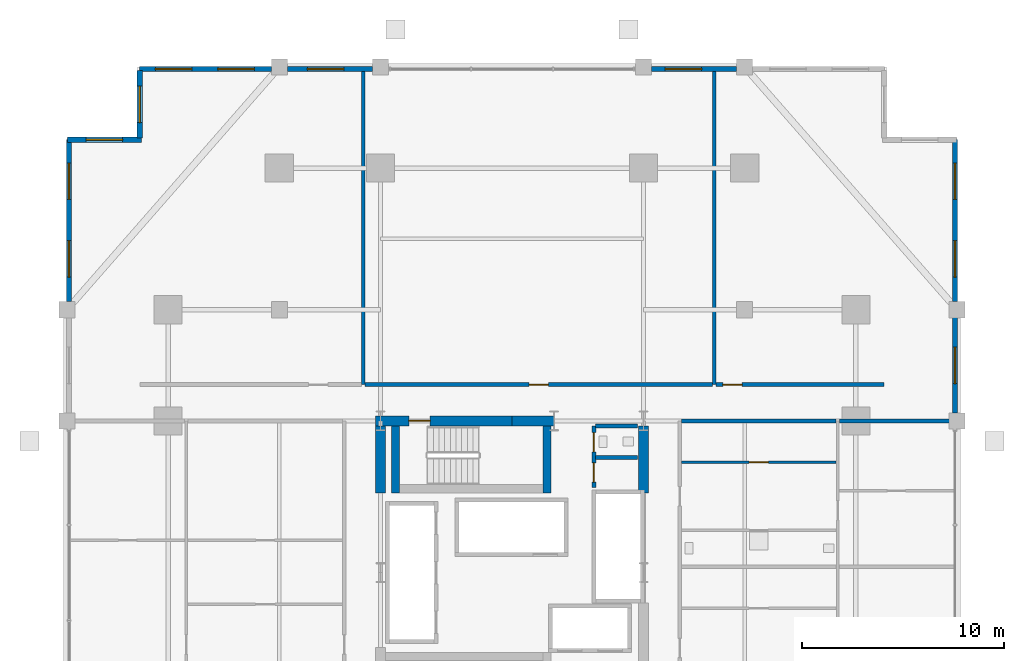
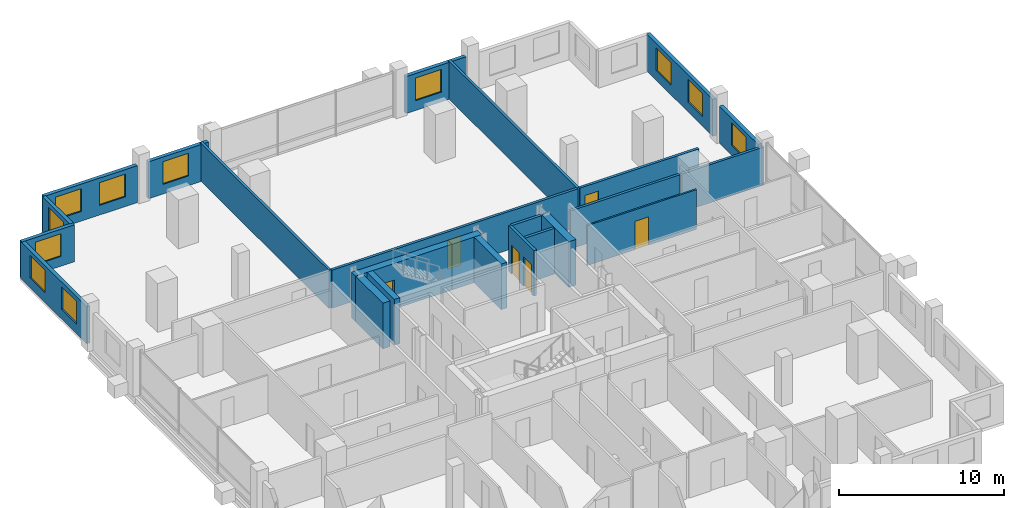
# One storey, part 20 of 23: 24 walls, 11 windows, 6 doors, 17 openings.
"""IFC4 building model written with IfcOpenShell, lengths in metres."""

from ifc_helpers import new_model, si_unit, direction, frame, frame_2d, origin, place, context, subcontext, project, spatial, rectangle, extrude, material, layer, layer_set, type_object, element, fill, save


model = new_model("IFC4")

# Units and contexts
model_context = context("Model", 3, precision=1e-05, world=origin(), true_north=direction((0.0, 1.0)))
body_context = subcontext(model_context, "Body", "Model", "MODEL_VIEW")
ifc_project = project(units=[si_unit("LENGTHUNIT", "METRE"), si_unit("AREAUNIT", "SQUARE_METRE"), si_unit("VOLUMEUNIT", "CUBIC_METRE"), si_unit("PLANEANGLEUNIT", "RADIAN"), si_unit("MASSUNIT", "GRAM", prefix="KILO")], contexts=[model_context])

# Site, building, storey
site_placement = place(None, origin())
site = spatial("IfcSite", under=ifc_project, at=site_placement, CompositionType="ELEMENT")
building_placement = place(site_placement, origin())
building = spatial("IfcBuilding", under=site, at=building_placement, Name="Barlavira Tower and Art Museum", CompositionType="ELEMENT")
storey_placement = place(building_placement, frame((0.0, 0.0, 75.60009765625)))
storey = spatial("IfcBuildingStorey", under=building, at=storey_placement, Name="L18", CompositionType="ELEMENT", Elevation=75.60009765625)

# Wall, opening, door
ifc_material_1 = material(Name="Gypsum acoustic stud partition", Category="gypsum")
ifc_layer_1 = layer(ifc_material_1, 0.1201171875, Name="Gypsum acoustic stud partition")
ifc_layer_set_1 = layer_set([ifc_layer_1], Name="Gypsum acoustic stud partition")
wall_type_1 = type_object("IfcWallType", Name="Apartment Internal Acoustic Partition 120", PredefinedType="PARTITIONING", material=ifc_layer_set_1)
wall_1_placement = place(storey_placement, frame((8.3798828125, 5.449951171875, 0.0), z_axis=(0.0, 0.0, 1.0), x_axis=(1.0, 0.0, 0.0)))
wall_1 = element("IfcWall", 1, at=wall_1_placement, inside=storey, type_object=wall_type_1, Name="L18 Partition Wall 52", PredefinedType="PARTITIONING", context=body_context, shape_type="SweptSolid", body=[
    extrude(rectangle(XDim=7.64013671875, YDim=0.1201171875, at=frame_2d((3.820068359375, 0.0))), origin(), (0.0, 0.0, 1.0), 2.947998046875),
])
opening_1_placement = place(wall_1_placement, frame((3.344970703125, 0.0, 0.0)))
opening_1 = element("IfcOpeningElement", 2, at=opening_1_placement, cuts=wall_1, Name="Opening D-02", PredefinedType="OPENING", context=body_context, shape_type="SweptSolid", body=[
    extrude(rectangle(XDim=0.949951171875, YDim=2.10009765625, at=frame_2d((0.47509765625, 1.050048828125))), frame((0.0, 0.070068359375, 0.0), z_axis=(0.0, -1.0, 0.0), x_axis=(1.0, 0.0, 0.0)), (0.0, 0.0, 1.0), 0.14013671875),
])
ifc_material_2 = material(Name="Engineered coastal hardwood", Category="wood")
door_type_1 = type_object("IfcDoorType", Name="Living and Salon Glazed-Leaf Door 950x2100", OperationType="NOTDEFINED", PredefinedType="DOOR", material=ifc_material_2)
door_1_placement = place(opening_1_placement, origin())
door_1 = element("IfcDoor", 3, at=door_1_placement, inside=storey, type_object=door_type_1, Name="Apartment E2 Kitchen Door", OperationType="SINGLE_SWING_LEFT", OverallHeight=2.10009765625, OverallWidth=0.949951171875, PredefinedType="DOOR", context=body_context, shape_type="SweptSolid", body=[
    extrude(rectangle(XDim=0.949951171875, YDim=2.10009765625, at=frame_2d((0.47509765625, 1.050048828125))), frame((0.0, 0.02490234375, 0.0), z_axis=(0.0, -1.0, 0.0), x_axis=(1.0, 0.0, 0.0)), (0.0, 0.0, 1.0), 0.050048828125),
])
fill(opening_1, door_1)

ifc_material_3 = material(Name="Concrete C60", Category="concrete")
ifc_layer_2 = layer(ifc_material_3, 0.5, Name="Concrete C60")
ifc_layer_set_2 = layer_set([ifc_layer_2], Name="Concrete C60")
wall_type_2 = type_object("IfcWallType", Name="Core Structural Shear Wall 500 Concrete C60", PredefinedType="SHEAR", material=ifc_layer_set_2)
wall_2_placement = place(storey_placement, frame((-6.75, 7.5, 0.0), z_axis=(0.0, 0.0, 1.0), x_axis=(1.0, 0.0, 0.0)))
wall_2 = element("IfcWall", 4, at=wall_2_placement, inside=storey, type_object=wall_type_2, Name="L18 Core Shear Wall CS-NW", PredefinedType="SHEAR", context=body_context, shape_type="SweptSolid", body=[
    extrude(rectangle(XDim=6.75, YDim=0.5, at=frame_2d((3.375, 0.0))), origin(), (0.0, 0.0, 1.0), 3.3798828125),
])
opening_2_placement = place(wall_2_placement, frame((1.64990234375, 0.0, 0.0)))
opening_2 = element("IfcOpeningElement", 5, at=opening_2_placement, cuts=wall_2, Name="Opening FD-90", PredefinedType="OPENING", context=body_context, shape_type="SweptSolid", body=[
    extrude(rectangle(XDim=1.050048828125, YDim=2.14990234375, at=frame_2d((0.52490234375, 1.074951171875))), frame((0.0, 0.260009765625, 0.0), z_axis=(0.0, -1.0, 0.0), x_axis=(1.0, 0.0, 0.0)), (0.0, 0.0, 1.0), 0.52001953125),
])
ifc_material_4 = material(Name="Brushed stainless steel", Category="steel")
door_type_2 = type_object("IfcDoorType", Name="Stair and Refuge Fire Door 1050x2150 FD90S", OperationType="NOTDEFINED", PredefinedType="DOOR", material=ifc_material_4)
door_2_placement = place(opening_2_placement, origin())
door_2 = element("IfcDoor", 6, at=door_2_placement, inside=storey, type_object=door_type_2, Name="L18 Stair ST-T2 Fire Door", OperationType="SINGLE_SWING_LEFT", OverallHeight=2.14990234375, OverallWidth=1.050048828125, PredefinedType="DOOR", context=body_context, shape_type="SweptSolid", body=[
    extrude(rectangle(XDim=1.050048828125, YDim=2.14990234375, at=frame_2d((0.52490234375, 1.074951171875))), frame((0.0, 0.02490234375, 0.0), z_axis=(0.0, -1.0, 0.0), x_axis=(1.0, 0.0, 0.0)), (0.0, 0.0, 1.0), 0.050048828125),
])
fill(opening_2, door_2)

# Walls
wall_3_placement = place(storey_placement, frame((0.0, 7.5, 0.0), z_axis=(0.0, 0.0, 1.0), x_axis=(1.0, 0.0, 0.0)))
element("IfcWall", 7, at=wall_3_placement, inside=storey, type_object=wall_type_2, Name="L18 Core Shear Wall CS-EN", PredefinedType="SHEAR", context=body_context, shape_type="SweptSolid", body=[
    extrude(rectangle(XDim=2.080078125, YDim=0.5, at=frame_2d((1.0400390625, 0.0))), origin(), (0.0, 0.0, 1.0), 3.3798828125),
])
for number, where, z_axis, x_axis, name in (
    (8, (-6.5, 3.949951171875, 0.0), (0.0, 0.0, 1.0), (0.0, 1.0, 0.0), "L18 Core Shear Wall CS-W2"),
    (9, (6.5, 3.949951171875, 0.0), (0.0, 0.0, 1.0), (0.0, 1.0, 0.0), "L18 Core Shear Wall CS-E2"),
):
    element("IfcWall", number, at=place(storey_placement, frame(where, z_axis=z_axis, x_axis=x_axis)), inside=storey, type_object=wall_type_2, Name=name, PredefinedType="SHEAR", context=body_context, shape_type="SweptSolid", body=[
        extrude(rectangle(XDim=3.300048828125, YDim=0.5, at=frame_2d((1.64990234375, 0.0))), origin(), (0.0, 0.0, 1.0), 3.3798828125),
    ])

# Wall, openings, doors
ifc_material_5 = material(Name="Autoclaved aerated concrete masonry", Category="masonry")
ifc_layer_3 = layer(ifc_material_5, 0.199951171875, Name="Autoclaved aerated concrete masonry")
ifc_layer_set_3 = layer_set([ifc_layer_3], Name="Autoclaved aerated concrete masonry")
wall_type_3 = type_object("IfcWallType", Name="Fire Compartment and Shaft Wall 200", PredefinedType="SOLIDWALL", material=ifc_layer_set_3)
wall_4_placement = place(storey_placement, frame((4.050048828125, 4.199951171875, 0.0), z_axis=(0.0, 0.0, 1.0), x_axis=(0.0, 1.0, 0.0)))
wall_4 = element("IfcWall", 10, at=wall_4_placement, inside=storey, type_object=wall_type_3, Name="L18 Partition Wall 11", PredefinedType="SOLIDWALL", context=body_context, shape_type="SweptSolid", body=[
    extrude(rectangle(XDim=3.050048828125, YDim=0.199951171875, at=frame_2d((1.52490234375, 0.0))), origin(), (0.0, 0.0, 1.0), 3.3798828125),
])
opening_3_placement = place(wall_4_placement, frame((0.27490234375, 0.0, 0.0)))
opening_3 = element("IfcOpeningElement", 11, at=opening_3_placement, cuts=wall_4, Name="Opening FD-60", PredefinedType="OPENING", context=body_context, shape_type="SweptSolid", body=[
    extrude(rectangle(XDim=0.949951171875, YDim=2.14990234375, at=frame_2d((0.47509765625, 1.074951171875))), frame((0.0, 0.10986328125, 0.0), z_axis=(0.0, -1.0, 0.0), x_axis=(1.0, 0.0, 0.0)), (0.0, 0.0, 1.0), 0.219970703125),
])
opening_4_placement = place(wall_4_placement, frame((1.77490234375, 0.0, 0.0)))
opening_4 = element("IfcOpeningElement", 12, at=opening_4_placement, cuts=wall_4, Name="Opening FD-60", PredefinedType="OPENING", context=body_context, shape_type="SweptSolid", body=[
    extrude(rectangle(XDim=0.949951171875, YDim=2.14990234375, at=frame_2d((0.47509765625, 1.074951171875))), frame((0.0, 0.10986328125, 0.0), z_axis=(0.0, -1.0, 0.0), x_axis=(1.0, 0.0, 0.0)), (0.0, 0.0, 1.0), 0.219970703125),
])
door_type_3 = type_object("IfcDoorType", Name="Apartment Entrance and Riser Fire Door 950x2150 FD60S", OperationType="NOTDEFINED", PredefinedType="DOOR", material=ifc_material_4)
door_3_placement = place(opening_3_placement, origin())
door_3 = element("IfcDoor", 13, at=door_3_placement, inside=storey, type_object=door_type_3, Name="Electrical Switchgear Room Door", OperationType="SINGLE_SWING_RIGHT", OverallHeight=2.14990234375, OverallWidth=0.949951171875, PredefinedType="DOOR", context=body_context, shape_type="SweptSolid", body=[
    extrude(rectangle(XDim=0.949951171875, YDim=2.14990234375, at=frame_2d((0.47509765625, 1.074951171875))), frame((0.0, 0.02490234375, 0.0), z_axis=(0.0, -1.0, 0.0), x_axis=(1.0, 0.0, 0.0)), (0.0, 0.0, 1.0), 0.050048828125),
])
fill(opening_3, door_3)
door_4_placement = place(opening_4_placement, origin())
door_4 = element("IfcDoor", 14, at=door_4_placement, inside=storey, type_object=door_type_3, Name="Core Staff Toilet Door", OperationType="SINGLE_SWING_LEFT", OverallHeight=2.14990234375, OverallWidth=0.949951171875, PredefinedType="DOOR", context=body_context, shape_type="SweptSolid", body=[
    extrude(rectangle(XDim=0.949951171875, YDim=2.14990234375, at=frame_2d((0.47509765625, 1.074951171875))), frame((0.0, 0.02490234375, 0.0), z_axis=(0.0, -1.0, 0.0), x_axis=(1.0, 0.0, 0.0)), (0.0, 0.0, 1.0), 0.050048828125),
])
fill(opening_4, door_4)

# Walls
for number, where, z_axis, x_axis, name in (
    (15, (4.1298828125, 5.699951171875, 0.0), (0.0, 0.0, 1.0), (1.0, 0.0, 0.0), "L18 Partition Wall 53"),
    (16, (4.1298828125, 7.25, 0.0), (0.0, 0.0, 1.0), (1.0, 0.0, 0.0), "L18 Partition Wall 54"),
):
    element("IfcWall", number, at=place(storey_placement, frame(where, z_axis=z_axis, x_axis=x_axis)), inside=storey, type_object=wall_type_3, Name=name, PredefinedType="SOLIDWALL", context=body_context, shape_type="SweptSolid", body=[
        extrude(rectangle(XDim=2.070068359375, YDim=0.199951171875, at=frame_2d((1.03515625, 0.0))), origin(), (0.0, 0.0, 1.0), 3.3798828125),
    ])
ifc_layer_4 = layer(ifc_material_1, 0.179931640625, Name="Gypsum acoustic stud partition")
ifc_layer_set_4 = layer_set([ifc_layer_4], Name="Gypsum acoustic stud partition")
wall_type_4 = type_object("IfcWallType", Name="Inter-Tenancy Party Partition Wall 180", PredefinedType="PARTITIONING", material=ifc_layer_set_4)
for number, where, z_axis, x_axis, name in (
    (17, (-7.35009765625, 9.300048828125, 0.0), (0.0, 0.0, 1.0), (0.0, 1.0, 0.0), "L18 Partition Wall 6"),
    (18, (10.0, 9.300048828125, 0.0), (0.0, 0.0, 1.0), (0.0, 1.0, 0.0), "L18 Partition Wall 15"),
):
    element("IfcWall", number, at=place(storey_placement, frame(where, z_axis=z_axis, x_axis=x_axis)), inside=storey, type_object=wall_type_4, Name=name, PredefinedType="PARTITIONING", context=body_context, shape_type="SweptSolid", body=[
        extrude(rectangle(XDim=15.599853515625, YDim=0.179931640625, at=frame_2d((7.7998046875, 0.0))), origin(), (0.0, 0.0, 1.0), 2.81591796875),
    ])
wall_5_placement = place(storey_placement, frame((8.3798828125, 7.5, 0.0), z_axis=(0.0, 0.0, 1.0), x_axis=(1.0, 0.0, 0.0)))
element("IfcWall", 19, at=wall_5_placement, inside=storey, type_object=wall_type_4, Name="L18 Partition Wall 57", PredefinedType="PARTITIONING", context=body_context, shape_type="SweptSolid", body=[
    extrude(rectangle(XDim=7.64013671875, YDim=0.179931640625, at=frame_2d((3.820068359375, 0.0))), origin(), (0.0, 0.0, 1.0), 2.81591796875),
])
wall_6_placement = place(storey_placement, frame((16.179931640625, 7.5, 0.0), z_axis=(0.0, 0.0, 1.0), x_axis=(1.0, 0.0, 0.0)))
element("IfcWall", 20, at=wall_6_placement, inside=storey, type_object=wall_type_4, Name="L18 Partition Wall 58", PredefinedType="PARTITIONING", context=body_context, shape_type="SweptSolid", body=[
    extrude(rectangle(XDim=5.719970703125, YDim=0.179931640625, at=frame_2d((2.85986328125, 0.0))), origin(), (0.0, 0.0, 1.0), 2.81591796875),
])

# Wall, opening, door
wall_7_placement = place(storey_placement, frame((-7.27001953125, 9.300048828125, 0.0), z_axis=(0.0, 0.0, 1.0), x_axis=(1.0, 0.0, 0.0)))
wall_7 = element("IfcWall", 21, at=wall_7_placement, inside=storey, type_object=wall_type_4, Name="L18 Partition Wall 60", PredefinedType="PARTITIONING", context=body_context, shape_type="SweptSolid", body=[
    extrude(rectangle(XDim=17.18994140625, YDim=0.179931640625, at=frame_2d((8.594970703125, 0.0))), origin(), (0.0, 0.0, 1.0), 2.81591796875),
])
opening_5_placement = place(wall_7_placement, frame((8.114990234375, 0.0, 0.0)))
opening_5 = element("IfcOpeningElement", 22, at=opening_5_placement, cuts=wall_7, Name="Opening FD-60", PredefinedType="OPENING", context=body_context, shape_type="SweptSolid", body=[
    extrude(rectangle(XDim=0.949951171875, YDim=2.14990234375, at=frame_2d((0.47509765625, 1.074951171875))), frame((0.0, 0.10009765625, 0.0), z_axis=(0.0, -1.0, 0.0), x_axis=(1.0, 0.0, 0.0)), (0.0, 0.0, 1.0), 0.199951171875),
])
door_5_placement = place(opening_5_placement, origin())
door_5 = element("IfcDoor", 23, at=door_5_placement, inside=storey, type_object=door_type_3, Name="Private Coastal Dining Salon Door", OperationType="SINGLE_SWING_RIGHT", OverallHeight=2.14990234375, OverallWidth=0.949951171875, PredefinedType="DOOR", context=body_context, shape_type="SweptSolid", body=[
    extrude(rectangle(XDim=0.949951171875, YDim=2.14990234375, at=frame_2d((0.47509765625, 1.074951171875))), frame((0.0, 0.02490234375, 0.0), z_axis=(0.0, -1.0, 0.0), x_axis=(1.0, 0.0, 0.0)), (0.0, 0.0, 1.0), 0.050048828125),
])
fill(opening_5, door_5)

wall_8_placement = place(storey_placement, frame((10.080078125, 9.300048828125, 0.0), z_axis=(0.0, 0.0, 1.0), x_axis=(1.0, 0.0, 0.0)))
wall_8 = element("IfcWall", 24, at=wall_8_placement, inside=storey, type_object=wall_type_4, Name="L18 Partition Wall 61", PredefinedType="PARTITIONING", context=body_context, shape_type="SweptSolid", body=[
    extrude(rectangle(XDim=8.31982421875, YDim=0.179931640625, at=frame_2d((4.159912109375, 0.0))), origin(), (0.0, 0.0, 1.0), 2.81591796875),
])
opening_6_placement = place(wall_8_placement, frame((0.344970703125, 0.0, 0.0)))
opening_6 = element("IfcOpeningElement", 25, at=opening_6_placement, cuts=wall_8, Name="Opening FD-60", PredefinedType="OPENING", context=body_context, shape_type="SweptSolid", body=[
    extrude(rectangle(XDim=0.949951171875, YDim=2.14990234375, at=frame_2d((0.47509765625, 1.074951171875))), frame((0.0, 0.10009765625, 0.0), z_axis=(0.0, -1.0, 0.0), x_axis=(1.0, 0.0, 0.0)), (0.0, 0.0, 1.0), 0.199951171875),
])
door_6_placement = place(opening_6_placement, origin())
door_6 = element("IfcDoor", 26, at=door_6_placement, inside=storey, type_object=door_type_3, Name="Shared Catering Kitchen Door", OperationType="SINGLE_SWING_LEFT", OverallHeight=2.14990234375, OverallWidth=0.949951171875, PredefinedType="DOOR", context=body_context, shape_type="SweptSolid", body=[
    extrude(rectangle(XDim=0.949951171875, YDim=2.14990234375, at=frame_2d((0.47509765625, 1.074951171875))), frame((0.0, 0.02490234375, 0.0), z_axis=(0.0, -1.0, 0.0), x_axis=(1.0, 0.0, 0.0)), (0.0, 0.0, 1.0), 0.050048828125),
])
fill(opening_6, door_6)

# Wall, opening, window
ifc_material_6 = material(Name="Precast concrete C40", Category="concrete")
ifc_layer_5 = layer(ifc_material_6, 0.25, Name="Precast concrete C40")
ifc_layer_set_5 = layer_set([ifc_layer_5], Name="Precast concrete C40")
wall_type_5 = type_object("IfcWallType", Name="Notched Corner Spandrel Wall 250 Precast Concrete C40", PredefinedType="SOLIDWALL", material=ifc_layer_set_5)
wall_9_placement = place(storey_placement, frame((11.10498046875, 24.89990234375, 0.0), z_axis=(0.0, 0.0, 1.0), x_axis=(-1.0, 0.0, 0.0)))
wall_9 = element("IfcWall", 27, at=wall_9_placement, inside=storey, type_object=wall_type_5, Name="L18 Coastal Facade Pier Wall CW1-L18-N-2", PredefinedType="SOLIDWALL", context=body_context, shape_type="SweptSolid", body=[
    extrude(rectangle(XDim=4.2099609375, YDim=0.25, at=frame_2d((2.10498046875, 0.0))), origin(), (0.0, 0.0, 1.0), 2.73583984375),
])
opening_7_placement = place(wall_9_placement, frame((1.735107421875, 0.0, 0.719970703125)))
opening_7 = element("IfcOpeningElement", 28, at=opening_7_placement, cuts=wall_9, Name="Opening WN-01", PredefinedType="OPENING", context=body_context, shape_type="SweptSolid", body=[
    extrude(rectangle(XDim=1.800048828125, YDim=1.679931640625, at=frame_2d((0.89990234375, 0.83984375))), frame((0.0, 0.135009765625, 0.0), z_axis=(0.0, -1.0, 0.0), x_axis=(1.0, 0.0, 0.0)), (0.0, 0.0, 1.0), 0.27001953125),
])
ifc_material_7 = material(Name="Low-iron coastal laminated glass", Category="glass")
window_type = type_object("IfcWindowType", Name="Recessed Notch Corner Punch Window 1800x1680", PartitioningType="SINGLE_PANEL", PredefinedType="WINDOW", material=ifc_material_7)
window_1_placement = place(opening_7_placement, origin())
window_1 = element("IfcWindow", 29, at=window_1_placement, inside=storey, type_object=window_type, Name="L18 Punched Facade Window EWP-CW1-L18-N-2-1", OverallHeight=1.679931640625, OverallWidth=1.800048828125, PartitioningType="SINGLE_PANEL", PredefinedType="WINDOW", context=body_context, shape_type="SweptSolid", body=[
    extrude(rectangle(XDim=1.800048828125, YDim=1.679931640625, at=frame_2d((0.89990234375, 0.83984375))), frame((0.0, 0.030029296875, 0.0), z_axis=(0.0, -1.0, 0.0), x_axis=(1.0, 0.0, 0.0)), (0.0, 0.0, 1.0), 0.06005859375),
])
fill(opening_7, window_1)

wall_10_placement = place(storey_placement, frame((-6.89501953125, 24.89990234375, 0.0), z_axis=(0.0, 0.0, 1.0), x_axis=(-1.0, 0.0, 0.0)))
wall_10 = element("IfcWall", 30, at=wall_10_placement, inside=storey, type_object=wall_type_5, Name="L18 Coastal Facade Pier Wall CW1-L18-N-4", PredefinedType="SOLIDWALL", context=body_context, shape_type="SweptSolid", body=[
    extrude(rectangle(XDim=4.2099609375, YDim=0.25, at=frame_2d((2.10498046875, 0.0))), origin(), (0.0, 0.0, 1.0), 2.73583984375),
])
opening_8_placement = place(wall_10_placement, frame((1.4150390625, 0.0, 0.719970703125)))
opening_8 = element("IfcOpeningElement", 31, at=opening_8_placement, cuts=wall_10, Name="Opening WN-01", PredefinedType="OPENING", context=body_context, shape_type="SweptSolid", body=[
    extrude(rectangle(XDim=1.800048828125, YDim=1.679931640625, at=frame_2d((0.89990234375, 0.83984375))), frame((0.0, 0.135009765625, 0.0), z_axis=(0.0, -1.0, 0.0), x_axis=(1.0, 0.0, 0.0)), (0.0, 0.0, 1.0), 0.27001953125),
])
window_2_placement = place(opening_8_placement, origin())
window_2 = element("IfcWindow", 32, at=window_2_placement, inside=storey, type_object=window_type, Name="L18 Punched Facade Window EWP-CW1-L18-N-4-1", OverallHeight=1.679931640625, OverallWidth=1.800048828125, PartitioningType="SINGLE_PANEL", PredefinedType="WINDOW", context=body_context, shape_type="SweptSolid", body=[
    extrude(rectangle(XDim=1.800048828125, YDim=1.679931640625, at=frame_2d((0.89990234375, 0.83984375))), frame((0.0, 0.030029296875, 0.0), z_axis=(0.0, -1.0, 0.0), x_axis=(1.0, 0.0, 0.0)), (0.0, 0.0, 1.0), 0.06005859375),
])
fill(opening_8, window_2)

# Wall, openings, windows
wall_11_placement = place(storey_placement, frame((-11.89501953125, 24.89990234375, 0.0), z_axis=(0.0, 0.0, 1.0), x_axis=(-1.0, 0.0, 0.0)))
wall_11 = element("IfcWall", 33, at=wall_11_placement, inside=storey, type_object=wall_type_5, Name="L18 Coastal Facade Pier Wall CW1-L18-N-5", PredefinedType="SOLIDWALL", context=body_context, shape_type="SweptSolid", body=[
    extrude(rectangle(XDim=6.530029296875, YDim=0.25, at=frame_2d((3.26513671875, 0.0))), origin(), (0.0, 0.0, 1.0), 2.73583984375),
])
opening_9_placement = place(wall_11_placement, frame((0.845947265625, 0.0, 0.719970703125)))
opening_9 = element("IfcOpeningElement", 34, at=opening_9_placement, cuts=wall_11, Name="Opening WN-01", PredefinedType="OPENING", context=body_context, shape_type="SweptSolid", body=[
    extrude(rectangle(XDim=1.800048828125, YDim=1.679931640625, at=frame_2d((0.89990234375, 0.83984375))), frame((0.0, 0.135009765625, 0.0), z_axis=(0.0, -1.0, 0.0), x_axis=(1.0, 0.0, 0.0)), (0.0, 0.0, 1.0), 0.27001953125),
])
opening_10_placement = place(wall_11_placement, frame((3.928955078125, 0.0, 0.719970703125)))
opening_10 = element("IfcOpeningElement", 35, at=opening_10_placement, cuts=wall_11, Name="Opening WN-01", PredefinedType="OPENING", context=body_context, shape_type="SweptSolid", body=[
    extrude(rectangle(XDim=1.800048828125, YDim=1.679931640625, at=frame_2d((0.89990234375, 0.83984375))), frame((0.0, 0.135009765625, 0.0), z_axis=(0.0, -1.0, 0.0), x_axis=(1.0, 0.0, 0.0)), (0.0, 0.0, 1.0), 0.27001953125),
])
window_3_placement = place(opening_9_placement, origin())
window_3 = element("IfcWindow", 36, at=window_3_placement, inside=storey, type_object=window_type, Name="L18 Punched Facade Window EWP-CW1-L18-N-5-1", OverallHeight=1.679931640625, OverallWidth=1.800048828125, PartitioningType="SINGLE_PANEL", PredefinedType="WINDOW", context=body_context, shape_type="SweptSolid", body=[
    extrude(rectangle(XDim=1.800048828125, YDim=1.679931640625, at=frame_2d((0.89990234375, 0.83984375))), frame((0.0, 0.030029296875, 0.0), z_axis=(0.0, -1.0, 0.0), x_axis=(1.0, 0.0, 0.0)), (0.0, 0.0, 1.0), 0.06005859375),
])
fill(opening_9, window_3)
window_4_placement = place(opening_10_placement, origin())
window_4 = element("IfcWindow", 37, at=window_4_placement, inside=storey, type_object=window_type, Name="L18 Punched Facade Window EWP-CW1-L18-N-5-2", OverallHeight=1.679931640625, OverallWidth=1.800048828125, PartitioningType="SINGLE_PANEL", PredefinedType="WINDOW", context=body_context, shape_type="SweptSolid", body=[
    extrude(rectangle(XDim=1.800048828125, YDim=1.679931640625, at=frame_2d((0.89990234375, 0.83984375))), frame((0.0, 0.030029296875, 0.0), z_axis=(0.0, -1.0, 0.0), x_axis=(1.0, 0.0, 0.0)), (0.0, 0.0, 1.0), 0.06005859375),
])
fill(opening_10, window_4)

wall_12_placement = place(storey_placement, frame((-21.89990234375, 21.425048828125, 0.0), z_axis=(0.0, 0.0, 1.0), x_axis=(0.0, -1.0, 0.0)))
wall_12 = element("IfcWall", 38, at=wall_12_placement, inside=storey, type_object=wall_type_5, Name="L18 Coastal Facade Pier Wall CW1-L18-W-1", PredefinedType="SOLIDWALL", context=body_context, shape_type="SweptSolid", body=[
    extrude(rectangle(XDim=8.030029296875, YDim=0.25, at=frame_2d((4.01513671875, 0.0))), origin(), (0.0, 0.0, 1.0), 2.73583984375),
])
opening_11_placement = place(wall_12_placement, frame((1.176025390625, 0.0, 0.719970703125)))
opening_11 = element("IfcOpeningElement", 39, at=opening_11_placement, cuts=wall_12, Name="Opening WN-01", PredefinedType="OPENING", context=body_context, shape_type="SweptSolid", body=[
    extrude(rectangle(XDim=1.800048828125, YDim=1.679931640625, at=frame_2d((0.89990234375, 0.83984375))), frame((0.0, 0.135009765625, 0.0), z_axis=(0.0, -1.0, 0.0), x_axis=(1.0, 0.0, 0.0)), (0.0, 0.0, 1.0), 0.27001953125),
])
opening_12_placement = place(wall_12_placement, frame((5.009033203125, 0.0, 0.719970703125)))
opening_12 = element("IfcOpeningElement", 40, at=opening_12_placement, cuts=wall_12, Name="Opening WN-01", PredefinedType="OPENING", context=body_context, shape_type="SweptSolid", body=[
    extrude(rectangle(XDim=1.800048828125, YDim=1.679931640625, at=frame_2d((0.89990234375, 0.83984375))), frame((0.0, 0.135009765625, 0.0), z_axis=(0.0, -1.0, 0.0), x_axis=(1.0, 0.0, 0.0)), (0.0, 0.0, 1.0), 0.27001953125),
])
window_5_placement = place(opening_11_placement, origin())
window_5 = element("IfcWindow", 41, at=window_5_placement, inside=storey, type_object=window_type, Name="L18 Punched Facade Window EWP-CW1-L18-W-1-1", OverallHeight=1.679931640625, OverallWidth=1.800048828125, PartitioningType="SINGLE_PANEL", PredefinedType="WINDOW", context=body_context, shape_type="SweptSolid", body=[
    extrude(rectangle(XDim=1.800048828125, YDim=1.679931640625, at=frame_2d((0.89990234375, 0.83984375))), frame((0.0, 0.030029296875, 0.0), z_axis=(0.0, -1.0, 0.0), x_axis=(1.0, 0.0, 0.0)), (0.0, 0.0, 1.0), 0.06005859375),
])
fill(opening_11, window_5)
window_6_placement = place(opening_12_placement, origin())
window_6 = element("IfcWindow", 42, at=window_6_placement, inside=storey, type_object=window_type, Name="L18 Punched Facade Window EWP-CW1-L18-W-1-2", OverallHeight=1.679931640625, OverallWidth=1.800048828125, PartitioningType="SINGLE_PANEL", PredefinedType="WINDOW", context=body_context, shape_type="SweptSolid", body=[
    extrude(rectangle(XDim=1.800048828125, YDim=1.679931640625, at=frame_2d((0.89990234375, 0.83984375))), frame((0.0, 0.030029296875, 0.0), z_axis=(0.0, -1.0, 0.0), x_axis=(1.0, 0.0, 0.0)), (0.0, 0.0, 1.0), 0.06005859375),
])
fill(opening_12, window_6)

# Wall, opening, window
wall_13_placement = place(storey_placement, frame((21.89990234375, 7.89501953125, 0.0), z_axis=(0.0, 0.0, 1.0), x_axis=(0.0, 1.0, 0.0)))
wall_13 = element("IfcWall", 43, at=wall_13_placement, inside=storey, type_object=wall_type_5, Name="L18 Coastal Facade Pier Wall CW1-L18-E-4", PredefinedType="SOLIDWALL", context=body_context, shape_type="SweptSolid", body=[
    extrude(rectangle(XDim=4.7099609375, YDim=0.25, at=frame_2d((2.35498046875, 0.0))), origin(), (0.0, 0.0, 1.0), 2.73583984375),
])
opening_13_placement = place(wall_13_placement, frame((1.455078125, 0.0, 0.719970703125)))
opening_13 = element("IfcOpeningElement", 44, at=opening_13_placement, cuts=wall_13, Name="Opening WN-01", PredefinedType="OPENING", context=body_context, shape_type="SweptSolid", body=[
    extrude(rectangle(XDim=1.800048828125, YDim=1.679931640625, at=frame_2d((0.89990234375, 0.83984375))), frame((0.0, 0.135009765625, 0.0), z_axis=(0.0, -1.0, 0.0), x_axis=(1.0, 0.0, 0.0)), (0.0, 0.0, 1.0), 0.27001953125),
])
window_7_placement = place(opening_13_placement, origin())
window_7 = element("IfcWindow", 45, at=window_7_placement, inside=storey, type_object=window_type, Name="L18 Punched Facade Window EWP-CW1-L18-E-4-1", OverallHeight=1.679931640625, OverallWidth=1.800048828125, PartitioningType="SINGLE_PANEL", PredefinedType="WINDOW", context=body_context, shape_type="SweptSolid", body=[
    extrude(rectangle(XDim=1.800048828125, YDim=1.679931640625, at=frame_2d((0.89990234375, 0.83984375))), frame((0.0, 0.030029296875, 0.0), z_axis=(0.0, -1.0, 0.0), x_axis=(1.0, 0.0, 0.0)), (0.0, 0.0, 1.0), 0.06005859375),
])
fill(opening_13, window_7)

# Wall, openings, windows
wall_14_placement = place(storey_placement, frame((21.89990234375, 13.39501953125, 0.0), z_axis=(0.0, 0.0, 1.0), x_axis=(0.0, 1.0, 0.0)))
wall_14 = element("IfcWall", 46, at=wall_14_placement, inside=storey, type_object=wall_type_5, Name="L18 Coastal Facade Pier Wall CW1-L18-E-5", PredefinedType="SOLIDWALL", context=body_context, shape_type="SweptSolid", body=[
    extrude(rectangle(XDim=8.030029296875, YDim=0.25, at=frame_2d((4.01513671875, 0.0))), origin(), (0.0, 0.0, 1.0), 2.73583984375),
])
opening_14_placement = place(wall_14_placement, frame((1.220947265625, 0.0, 0.719970703125)))
opening_14 = element("IfcOpeningElement", 47, at=opening_14_placement, cuts=wall_14, Name="Opening WN-01", PredefinedType="OPENING", context=body_context, shape_type="SweptSolid", body=[
    extrude(rectangle(XDim=1.800048828125, YDim=1.679931640625, at=frame_2d((0.89990234375, 0.83984375))), frame((0.0, 0.135009765625, 0.0), z_axis=(0.0, -1.0, 0.0), x_axis=(1.0, 0.0, 0.0)), (0.0, 0.0, 1.0), 0.27001953125),
])
opening_15_placement = place(wall_14_placement, frame((5.053955078125, 0.0, 0.719970703125)))
opening_15 = element("IfcOpeningElement", 48, at=opening_15_placement, cuts=wall_14, Name="Opening WN-01", PredefinedType="OPENING", context=body_context, shape_type="SweptSolid", body=[
    extrude(rectangle(XDim=1.800048828125, YDim=1.679931640625, at=frame_2d((0.89990234375, 0.83984375))), frame((0.0, 0.135009765625, 0.0), z_axis=(0.0, -1.0, 0.0), x_axis=(1.0, 0.0, 0.0)), (0.0, 0.0, 1.0), 0.27001953125),
])
window_8_placement = place(opening_14_placement, origin())
window_8 = element("IfcWindow", 49, at=window_8_placement, inside=storey, type_object=window_type, Name="L18 Punched Facade Window EWP-CW1-L18-E-5-1", OverallHeight=1.679931640625, OverallWidth=1.800048828125, PartitioningType="SINGLE_PANEL", PredefinedType="WINDOW", context=body_context, shape_type="SweptSolid", body=[
    extrude(rectangle(XDim=1.800048828125, YDim=1.679931640625, at=frame_2d((0.89990234375, 0.83984375))), frame((0.0, 0.030029296875, 0.0), z_axis=(0.0, -1.0, 0.0), x_axis=(1.0, 0.0, 0.0)), (0.0, 0.0, 1.0), 0.06005859375),
])
fill(opening_14, window_8)
window_9_placement = place(opening_15_placement, origin())
window_9 = element("IfcWindow", 50, at=window_9_placement, inside=storey, type_object=window_type, Name="L18 Punched Facade Window EWP-CW1-L18-E-5-2", OverallHeight=1.679931640625, OverallWidth=1.800048828125, PartitioningType="SINGLE_PANEL", PredefinedType="WINDOW", context=body_context, shape_type="SweptSolid", body=[
    extrude(rectangle(XDim=1.800048828125, YDim=1.679931640625, at=frame_2d((0.89990234375, 0.83984375))), frame((0.0, 0.030029296875, 0.0), z_axis=(0.0, -1.0, 0.0), x_axis=(1.0, 0.0, 0.0)), (0.0, 0.0, 1.0), 0.06005859375),
])
fill(opening_15, window_9)

# Wall, opening, window
wall_15_placement = place(storey_placement, frame((-18.39990234375, 24.820068359375, 0.0), z_axis=(0.0, 0.0, 1.0), x_axis=(0.0, -1.0, 0.0)))
wall_15 = element("IfcWall", 51, at=wall_15_placement, inside=storey, type_object=wall_type_5, Name="L18 Notch Corner Wall NW1", PredefinedType="SOLIDWALL", context=body_context, shape_type="SweptSolid", body=[
    extrude(rectangle(XDim=3.340087890625, YDim=0.25, at=frame_2d((1.669921875, 0.0))), origin(), (0.0, 0.0, 1.0), 2.73583984375),
])
opening_16_placement = place(wall_15_placement, frame((0.77001953125, 0.0, 0.719970703125)))
opening_16 = element("IfcOpeningElement", 52, at=opening_16_placement, cuts=wall_15, Name="Opening WN-01", PredefinedType="OPENING", context=body_context, shape_type="SweptSolid", body=[
    extrude(rectangle(XDim=1.800048828125, YDim=1.679931640625, at=frame_2d((0.89990234375, 0.83984375))), frame((0.0, 0.135009765625, 0.0), z_axis=(0.0, -1.0, 0.0), x_axis=(1.0, 0.0, 0.0)), (0.0, 0.0, 1.0), 0.27001953125),
])
window_10_placement = place(opening_16_placement, origin())
window_10 = element("IfcWindow", 53, at=window_10_placement, inside=storey, type_object=window_type, Name="L18 Punched Facade Window EW-NTC-L18-NW1-1", OverallHeight=1.679931640625, OverallWidth=1.800048828125, PartitioningType="SINGLE_PANEL", PredefinedType="WINDOW", context=body_context, shape_type="SweptSolid", body=[
    extrude(rectangle(XDim=1.800048828125, YDim=1.679931640625, at=frame_2d((0.89990234375, 0.83984375))), frame((0.0, 0.030029296875, 0.0), z_axis=(0.0, -1.0, 0.0), x_axis=(1.0, 0.0, 0.0)), (0.0, 0.0, 1.0), 0.06005859375),
])
fill(opening_16, window_10)

wall_16_placement = place(storey_placement, frame((-18.320068359375, 21.39990234375, 0.0), z_axis=(0.0, 0.0, 1.0), x_axis=(-1.0, 0.0, 0.0)))
wall_16 = element("IfcWall", 54, at=wall_16_placement, inside=storey, type_object=wall_type_5, Name="L18 Notch Corner Wall NW2", PredefinedType="SOLIDWALL", context=body_context, shape_type="SweptSolid", body=[
    extrude(rectangle(XDim=3.659912109375, YDim=0.25, at=frame_2d((1.830078125, 0.0))), origin(), (0.0, 0.0, 1.0), 2.73583984375),
])
opening_17_placement = place(wall_16_placement, frame((0.929931640625, 0.0, 0.719970703125)))
opening_17 = element("IfcOpeningElement", 55, at=opening_17_placement, cuts=wall_16, Name="Opening WN-01", PredefinedType="OPENING", context=body_context, shape_type="SweptSolid", body=[
    extrude(rectangle(XDim=1.800048828125, YDim=1.679931640625, at=frame_2d((0.89990234375, 0.83984375))), frame((0.0, 0.135009765625, 0.0), z_axis=(0.0, -1.0, 0.0), x_axis=(1.0, 0.0, 0.0)), (0.0, 0.0, 1.0), 0.27001953125),
])
window_11_placement = place(opening_17_placement, origin())
window_11 = element("IfcWindow", 56, at=window_11_placement, inside=storey, type_object=window_type, Name="L18 Punched Facade Window EW-NTC-L18-NW2-1", OverallHeight=1.679931640625, OverallWidth=1.800048828125, PartitioningType="SINGLE_PANEL", PredefinedType="WINDOW", context=body_context, shape_type="SweptSolid", body=[
    extrude(rectangle(XDim=1.800048828125, YDim=1.679931640625, at=frame_2d((0.89990234375, 0.83984375))), frame((0.0, 0.030029296875, 0.0), z_axis=(0.0, -1.0, 0.0), x_axis=(1.0, 0.0, 0.0)), (0.0, 0.0, 1.0), 0.06005859375),
])
fill(opening_17, window_11)

# Walls
ifc_material_8 = material(Name="Concrete C55", Category="concrete")
ifc_layer_6 = layer(ifc_material_8, 0.39990234375, Name="Concrete C55")
ifc_layer_set_6 = layer_set([ifc_layer_6], Name="Concrete C55")
wall_type_6 = type_object("IfcWallType", Name="Upper Core Shear Wall 400 Concrete C55", PredefinedType="SHEAR", material=ifc_layer_set_6)
for number, where, z_axis, x_axis, name in (
    (57, (1.72998046875, 3.949951171875, 0.0), (0.0, 0.0, 1.0), (0.0, 1.0, 0.0), "L18 ST-T2 East Half-Landing Wall"),
    (58, (-5.75, 3.949951171875, 0.0), (0.0, 0.0, 1.0), (0.0, 1.0, 0.0), "L18 ST-T2 West Shaft Wall"),
):
    element("IfcWall", number, at=place(storey_placement, frame(where, z_axis=z_axis, x_axis=x_axis)), inside=storey, type_object=wall_type_6, Name=name, PredefinedType="SHEAR", context=body_context, shape_type="SweptSolid", body=[
        extrude(rectangle(XDim=3.300048828125, YDim=0.39990234375, at=frame_2d((1.64990234375, 0.0))), origin(), (0.0, 0.0, 1.0), 3.3798828125),
    ])

save(model, "model.ifc")
